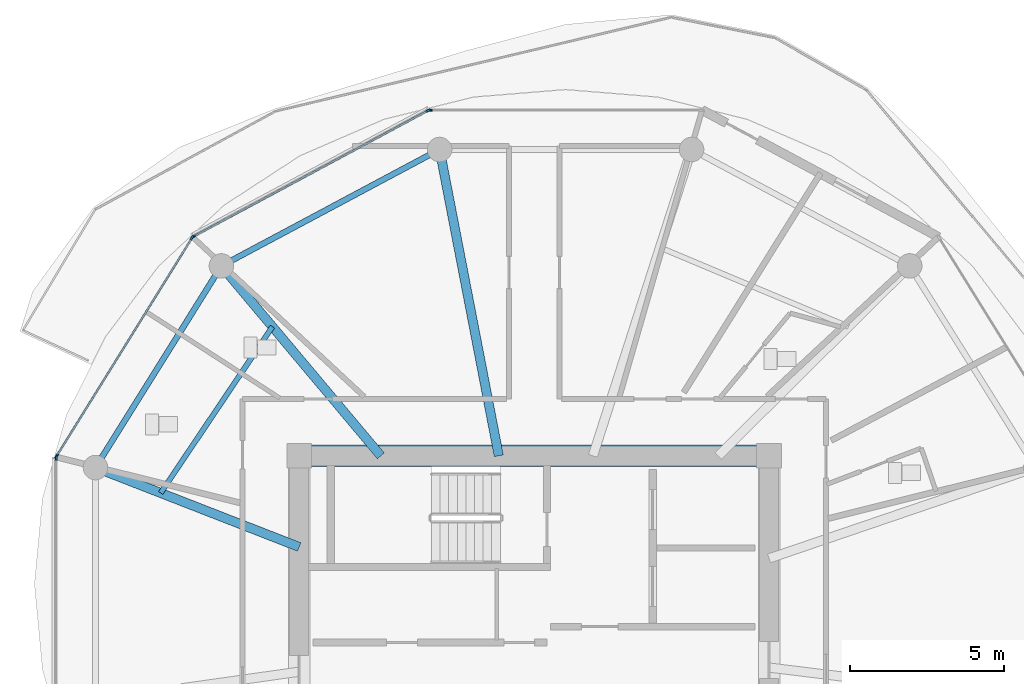
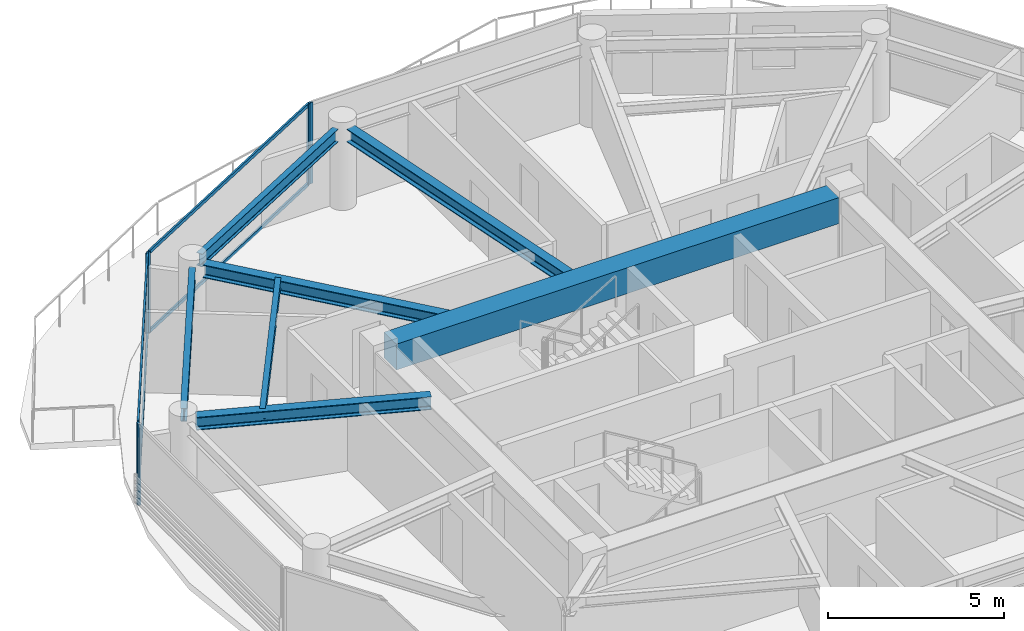
# One storey, part 4 of 21: 10 members, 7 beams, 4 elements without a shape of their own.
"""IFC4 building model written with IfcOpenShell, lengths in metres."""

from ifc_helpers import new_model, si_unit, direction, frame, origin, origin_2d, place, context, subcontext, project, spatial, rectangle, i_section, extrude, source, transform, mapped, material, layer, layer_set, material_profile, profile_set, type_object, type_shapes, element, aggregate, save


model = new_model("IFC4")

# Units and contexts
model_context = context("Model", 3, precision=1e-05, world=origin(), true_north=direction((0.0, 1.0)))
body_context = subcontext(model_context, "Body", "Model", "MODEL_VIEW")
ifc_project = project(units=[si_unit("LENGTHUNIT", "METRE"), si_unit("AREAUNIT", "SQUARE_METRE"), si_unit("VOLUMEUNIT", "CUBIC_METRE"), si_unit("PLANEANGLEUNIT", "RADIAN"), si_unit("MASSUNIT", "GRAM", prefix="KILO")], contexts=[model_context])

# Site, building, storey
site_placement = place(None, origin())
site = spatial("IfcSite", under=ifc_project, at=site_placement, CompositionType="ELEMENT")
building_placement = place(site_placement, origin())
building = spatial("IfcBuilding", under=site, at=building_placement, Name="Norrkilde Senior Care Towers", CompositionType="ELEMENT")
storey_placement = place(building_placement, frame((0.0, 0.0, 146.5)))
storey = spatial("IfcBuildingStorey", under=building, at=storey_placement, Name="L45", CompositionType="ELEMENT", Elevation=146.5)

# Beams
ifc_material_1 = material(Name="Concrete C60/75", Category="concrete")
ifc_material_profile_1 = material_profile(ifc_material_1, rectangle(XDim=0.699951171875, YDim=0.89990234375, at=origin_2d()), Name="RC BM 700x900")
ifc_profile_set_1 = profile_set([ifc_material_profile_1], Name="Concrete C60/75")
beam_type_1 = type_object("IfcBeamType", Name="Core Coupling Girder 700x900", PredefinedType="USERDEFINED", material=ifc_profile_set_1)
shared_shape_1 = source(origin(), body_context, "Body", "SweptSolid", [
    extrude(rectangle(XDim=0.699951171875, YDim=0.89990234375, at=origin_2d()), origin(), (0.0, 0.0, 1.0), 14.5400390625),
])
type_shapes(beam_type_1, [shared_shape_1])
beam_1_placement = place(storey_placement, frame((-35.27001953125, 5.949951171875, 2.360107421875), z_axis=(1.0, 0.0, 0.0), x_axis=(0.0, 1.0, 0.0)))
element("IfcBeam", 1, at=beam_1_placement, inside=storey, type_object=beam_type_1, Name="L45 Core W N Coupling Girder", ObjectType="GIRDER", PredefinedType="USERDEFINED", context=body_context, shape_type="MappedRepresentation", body=[
    mapped(shared_shape_1, transform((0.0, 0.0, 0.0), x_axis=(1.0, 0.0, 0.0), y_axis=(0.0, 1.0, 0.0), z_axis=(0.0, 0.0, 1.0), scale=1.0)),
])
ifc_material_2 = material(Name="Steel S355", Category="steel")
ifc_material_profile_2 = material_profile(ifc_material_2, i_section(OverallWidth=0.18994140625, OverallDepth=0.449951171875, WebThickness=0.009521484375, FlangeThickness=0.0146484375, FilletRadius=0.02099609375, at=origin_2d()), Name="IPE 450")
ifc_profile_set_2 = profile_set([ifc_material_profile_2], Name="Steel S355")
beam_type_2 = type_object("IfcBeamType", Name="Perimeter Ring Spandrel Z3 IPE450", PredefinedType="SPANDREL", material=ifc_profile_set_2)
shared_shape_2 = source(origin(), body_context, "Body", "SweptSolid", [
    extrude(i_section(OverallWidth=0.18994140625, OverallDepth=0.449951171875, WebThickness=0.009521484375, FlangeThickness=0.0146484375, FilletRadius=0.02099609375, at=origin_2d()), origin(), (0.0, 0.0, 1.0), 7.0234375),
])
beam_2_placement = place(storey_placement, frame((-38.373291015625, 11.8291015625, 2.5849609375), z_axis=(-0.529789577822, -0.848129119433, 0.0), x_axis=(0.848129119433, -0.529789577822, 0.0)))
element("IfcBeam", 2, at=beam_2_placement, inside=storey, type_object=beam_type_2, Name="L45 Drum W Perimeter Spandrel 05", PredefinedType="SPANDREL", context=body_context, shape_type="MappedRepresentation", body=[
    mapped(shared_shape_2, transform((0.0, 0.0, 0.0), x_axis=(1.0, 0.0, 0.0), y_axis=(0.0, 1.0, 0.0), z_axis=(0.0, 0.0, 1.0), scale=1.0)),
])
shared_shape_3 = source(origin(), body_context, "Body", "SweptSolid", [
    extrude(i_section(OverallWidth=0.18994140625, OverallDepth=0.449951171875, WebThickness=0.009521484375, FlangeThickness=0.0146484375, FilletRadius=0.02099609375, at=origin_2d()), origin(), (0.0, 0.0, 1.0), 7.333740234375),
])
type_shapes(beam_type_2, [shared_shape_2, shared_shape_3])
beam_3_placement = place(storey_placement, frame((-31.394775390625, 15.756591796875, 2.5849609375), z_axis=(-0.882247866069, -0.470785198172, 0.0), x_axis=(0.470785198172, -0.882247866069, 0.0)))
element("IfcBeam", 3, at=beam_3_placement, inside=storey, type_object=beam_type_2, Name="L45 Drum W Perimeter Spandrel 04", PredefinedType="SPANDREL", context=body_context, shape_type="MappedRepresentation", body=[
    mapped(shared_shape_3, transform((0.0, 0.0, 0.0), x_axis=(1.0, 0.0, 0.0), y_axis=(0.0, 1.0, 0.0), z_axis=(0.0, 0.0, 1.0), scale=1.0)),
])
ifc_material_profile_3 = material_profile(ifc_material_2, i_section(OverallWidth=0.300048828125, OverallDepth=0.449951171875, WebThickness=0.013916015625, FlangeThickness=0.02587890625, FilletRadius=0.027099609375, at=origin_2d()), Name="HEB 450")
ifc_profile_set_3 = profile_set([ifc_material_profile_3], Name="Steel S355")
beam_type_3 = type_object("IfcBeamType", Name="Radial Floor Beam Z3 HEB450", PredefinedType="BEAM", material=ifc_profile_set_3)
shared_shape_4 = source(origin(), body_context, "Body", "SweptSolid", [
    extrude(i_section(OverallWidth=0.300048828125, OverallDepth=0.449951171875, WebThickness=0.013916015625, FlangeThickness=0.02587890625, FilletRadius=0.027099609375, at=origin_2d()), origin(), (0.0, 0.0, 1.0), 9.80078125),
])
beam_4_placement = place(storey_placement, frame((-29.149658203125, 5.949951171875, 2.5849609375), z_axis=(-0.189716727661, 0.98183886827, 0.0), x_axis=(-0.98183886827, -0.189716727661, 0.0)))
element("IfcBeam", 4, at=beam_4_placement, inside=storey, type_object=beam_type_3, Name="L45 Drum W Radial Floor Beam 04", PredefinedType="BEAM", context=body_context, shape_type="MappedRepresentation", body=[
    mapped(shared_shape_4, transform((0.0, 0.0, 0.0), x_axis=(1.0, 0.0, 0.0), y_axis=(0.0, 1.0, 0.0), z_axis=(0.0, 0.0, 1.0), scale=1.0)),
])
shared_shape_5 = source(origin(), body_context, "Body", "SweptSolid", [
    extrude(i_section(OverallWidth=0.300048828125, OverallDepth=0.449951171875, WebThickness=0.013916015625, FlangeThickness=0.02587890625, FilletRadius=0.027099609375, at=origin_2d()), origin(), (0.0, 0.0, 1.0), 7.71337890625),
])
beam_5_placement = place(storey_placement, frame((-32.992919921875, 5.949951171875, 2.5849609375), z_axis=(-0.642808239864, 0.766027131872, 0.0), x_axis=(-0.766027131872, -0.642808239864, 0.0)))
element("IfcBeam", 5, at=beam_5_placement, inside=storey, type_object=beam_type_3, Name="L45 Drum W Radial Floor Beam 05", PredefinedType="BEAM", context=body_context, shape_type="MappedRepresentation", body=[
    mapped(shared_shape_5, transform((0.0, 0.0, 0.0), x_axis=(1.0, 0.0, 0.0), y_axis=(0.0, 1.0, 0.0), z_axis=(0.0, 0.0, 1.0), scale=1.0)),
])
shared_shape_6 = source(origin(), body_context, "Body", "SweptSolid", [
    extrude(i_section(OverallWidth=0.300048828125, OverallDepth=0.449951171875, WebThickness=0.013916015625, FlangeThickness=0.02587890625, FilletRadius=0.027099609375, at=origin_2d()), origin(), (0.0, 0.0, 1.0), 6.760986328125),
])
type_shapes(beam_type_3, [shared_shape_4, shared_shape_5, shared_shape_6])
beam_6_placement = place(storey_placement, frame((-35.64990234375, 2.981201171875, 2.5849609375), z_axis=(-0.931742171387, 0.363120539297, 0.0), x_axis=(-0.363120539297, -0.931742171387, 0.0)))
element("IfcBeam", 6, at=beam_6_placement, inside=storey, type_object=beam_type_3, Name="L45 Drum W Radial Floor Beam 06", PredefinedType="BEAM", context=body_context, shape_type="MappedRepresentation", body=[
    mapped(shared_shape_6, transform((0.0, 0.0, 0.0), x_axis=(1.0, 0.0, 0.0), y_axis=(0.0, 1.0, 0.0), z_axis=(0.0, 0.0, 1.0), scale=1.0)),
])
ifc_material_profile_4 = material_profile(ifc_material_2, i_section(OverallWidth=0.169921875, OverallDepth=0.360107421875, WebThickness=0.008056640625, FlangeThickness=0.0126953125, FilletRadius=0.01806640625, at=origin_2d()), Name="IPE 360")
ifc_profile_set_4 = profile_set([ifc_material_profile_4], Name="Steel S355")
beam_type_4 = type_object("IfcBeamType", Name="Secondary Floor Joist IPE360", PredefinedType="JOIST", material=ifc_profile_set_4)
shared_shape_7 = source(origin(), body_context, "Body", "SweptSolid", [
    extrude(i_section(OverallWidth=0.169921875, OverallDepth=0.360107421875, WebThickness=0.008056640625, FlangeThickness=0.0126953125, FilletRadius=0.01806640625, at=origin_2d()), origin(), (0.0, 0.0, 1.0), 6.525390625),
])
type_shapes(beam_type_4, [shared_shape_7])
beam_7_placement = place(storey_placement, frame((-36.52197265625, 10.155517578125, 2.6298828125), z_axis=(-0.55779590102, -0.829978152005, 0.0), x_axis=(0.829978152005, -0.55779590102, 0.0)))
element("IfcBeam", 7, at=beam_7_placement, inside=storey, type_object=beam_type_4, Name="L45 Drum W Secondary Floor Joist 2", PredefinedType="JOIST", context=body_context, shape_type="MappedRepresentation", body=[
    mapped(shared_shape_7, transform((0.0, 0.0, 0.0), x_axis=(1.0, 0.0, 0.0), y_axis=(0.0, 1.0, 0.0), z_axis=(0.0, 0.0, 1.0), scale=1.0)),
])

# Curtain wall, member
ifc_material_3 = material(Name="Triple Low-E Insulated Glazing", Category="glass")
ifc_layer = layer(ifc_material_3, 0.18994140625)
ifc_layer_set = layer_set([ifc_layer], Name="Triple Low-E Insulated Glazing")
curtain_wall_type = type_object("IfcCurtainWallType", Name="CW4 Zone 3 Senior Residence Curtain Wall", PredefinedType="NOTDEFINED", material=ifc_layer_set)
curtain_wall_1_placement = place(storey_placement, origin())
curtain_wall_1 = element("IfcCurtainWall", 8, at=curtain_wall_1_placement, inside=storey, type_object=curtain_wall_type, Name="L45 Drum W Curtain Wall 02", PredefinedType="NOTDEFINED")
ifc_material_4 = material(Name="Anodised Aluminium", Category="aluminium")
ifc_material_profile_5 = material_profile(ifc_material_4, rectangle(XDim=0.06494140625, YDim=0.14990234375, at=origin_2d()), Name="ALU MULL 65x150")
ifc_profile_set_5 = profile_set([ifc_material_profile_5], Name="Anodised Aluminium")
member_type_1 = type_object("IfcMemberType", Name="Curtain Wall Mullion Z3-Z4 65x150", PredefinedType="MULLION", material=ifc_profile_set_5)
shared_shape_8 = source(origin(), body_context, "Body", "SweptSolid", [
    extrude(rectangle(XDim=0.06494140625, YDim=0.14990234375, at=origin_2d()), origin(), (0.0, 0.0, 1.0), 2.81005859375),
])
type_shapes(member_type_1, [shared_shape_8])
member_1_placement = place(storey_placement, frame((-31.388916015625, 17.2109375, 0.0), z_axis=(0.0, 0.0, 1.0), x_axis=(0.0, 1.0, 0.0)))
member_1 = element("IfcMember", 9, at=member_1_placement, type_object=member_type_1, Name="CW-4 mullion 1", PredefinedType="MULLION", context=body_context, shape_type="MappedRepresentation", body=[
    mapped(shared_shape_8, transform((0.0, 0.0, 0.0), x_axis=(1.0, 0.0, 0.0), y_axis=(0.0, 1.0, 0.0), z_axis=(0.0, 0.0, 1.0), scale=1.0)),
])
aggregate(curtain_wall_1, [member_1])

# Curtain wall, members
curtain_wall_2_placement = place(storey_placement, origin())
curtain_wall_2 = element("IfcCurtainWall", 10, at=curtain_wall_2_placement, inside=storey, type_object=curtain_wall_type, Name="L45 Drum W Curtain Wall 03", PredefinedType="NOTDEFINED")
member_2_placement = place(storey_placement, frame((-39.094482421875, 13.09033203125, 0.0), z_axis=(0.0, 0.0, 1.0), x_axis=(-0.47311715104, 0.880999524059, 0.0)))
member_2 = element("IfcMember", 11, at=member_2_placement, type_object=member_type_1, Name="CW-4 mullion 1", PredefinedType="MULLION", context=body_context, shape_type="MappedRepresentation", body=[
    mapped(shared_shape_8, transform((0.0, 0.0, 0.0), x_axis=(1.0, 0.0, 0.0), y_axis=(0.0, 1.0, 0.0), z_axis=(0.0, 0.0, 1.0), scale=1.0)),
])
member_3_placement = place(storey_placement, frame((-31.4501953125, 17.195556640625, 0.0), z_axis=(0.0, 0.0, 1.0), x_axis=(-0.47311715104, 0.880999524059, 0.0)))
member_3 = element("IfcMember", 12, at=member_3_placement, type_object=member_type_1, Name="CW-4 mullion 2", PredefinedType="MULLION", context=body_context, shape_type="MappedRepresentation", body=[
    mapped(shared_shape_8, transform((0.0, 0.0, 0.0), x_axis=(1.0, 0.0, 0.0), y_axis=(0.0, 1.0, 0.0), z_axis=(0.0, 0.0, 1.0), scale=1.0)),
])

curtain_wall_3_placement = place(storey_placement, origin())
curtain_wall_3 = element("IfcCurtainWall", 13, at=curtain_wall_3_placement, inside=storey, type_object=curtain_wall_type, Name="L45 Drum W Curtain Wall 04", PredefinedType="NOTDEFINED")
member_4_placement = place(storey_placement, frame((-43.552490234375, 5.93896484375, 0.0), z_axis=(0.0, 0.0, 1.0), x_axis=(-0.84963405474, 0.52737270789, 0.0)))
member_4 = element("IfcMember", 14, at=member_4_placement, type_object=member_type_1, Name="CW-4 mullion 1", PredefinedType="MULLION", context=body_context, shape_type="MappedRepresentation", body=[
    mapped(shared_shape_8, transform((0.0, 0.0, 0.0), x_axis=(1.0, 0.0, 0.0), y_axis=(0.0, 1.0, 0.0), z_axis=(0.0, 0.0, 1.0), scale=1.0)),
])
member_5_placement = place(storey_placement, frame((-39.14013671875, 13.04736328125, 0.0), z_axis=(0.0, 0.0, 1.0), x_axis=(-0.84963405474, 0.52737270789, 0.0)))
member_5 = element("IfcMember", 15, at=member_5_placement, type_object=member_type_1, Name="CW-4 mullion 2", PredefinedType="MULLION", context=body_context, shape_type="MappedRepresentation", body=[
    mapped(shared_shape_8, transform((0.0, 0.0, 0.0), x_axis=(1.0, 0.0, 0.0), y_axis=(0.0, 1.0, 0.0), z_axis=(0.0, 0.0, 1.0), scale=1.0)),
])

# Curtain wall, member
curtain_wall_4_placement = place(storey_placement, origin())
curtain_wall_4 = element("IfcCurtainWall", 16, at=curtain_wall_4_placement, inside=storey, type_object=curtain_wall_type, Name="L45 Drum W Curtain Wall 05", PredefinedType="NOTDEFINED")
member_6_placement = place(storey_placement, frame((-43.569580078125, 5.878662109375, 0.0), z_axis=(0.0, 0.0, 1.0), x_axis=(-1.0, 0.0, 0.0)))
member_6 = element("IfcMember", 17, at=member_6_placement, type_object=member_type_1, Name="CW-4 mullion 2", PredefinedType="MULLION", context=body_context, shape_type="MappedRepresentation", body=[
    mapped(shared_shape_8, transform((0.0, 0.0, 0.0), x_axis=(1.0, 0.0, 0.0), y_axis=(0.0, 1.0, 0.0), z_axis=(0.0, 0.0, 1.0), scale=1.0)),
])
aggregate(curtain_wall_4, [member_6])

# Member
ifc_material_profile_6 = material_profile(ifc_material_4, rectangle(XDim=0.06005859375, YDim=0.1201171875, at=origin_2d()), Name="ALU TRAN 60x120")
ifc_profile_set_6 = profile_set([ifc_material_profile_6], Name="Anodised Aluminium")
member_type_2 = type_object("IfcMemberType", Name="Curtain Wall Transom Typical 60x120", PredefinedType="USERDEFINED", material=ifc_profile_set_6)
shared_shape_9 = source(origin(), body_context, "Body", "SweptSolid", [
    extrude(rectangle(XDim=0.06005859375, YDim=0.1201171875, at=origin_2d()), origin(), (0.0, 0.0, 1.0), 8.301513671875),
])
member_7_placement = place(storey_placement, frame((-43.535400390625, 5.966552734375, 0.030029296875), z_axis=(0.527368718394, 0.849636531029, 0.0), x_axis=(-0.849636531029, 0.527368718394, 0.0)))
member_7 = element("IfcMember", 18, at=member_7_placement, type_object=member_type_2, Name="CW-4 transom 1.1", ObjectType="TRANSOM", PredefinedType="USERDEFINED", context=body_context, shape_type="MappedRepresentation", body=[
    mapped(shared_shape_9, transform((0.0, 0.0, 0.0), x_axis=(1.0, 0.0, 0.0), y_axis=(0.0, 1.0, 0.0), z_axis=(0.0, 0.0, 1.0), scale=1.0)),
])

member_8_placement = place(storey_placement, frame((-43.535400390625, 5.966552734375, 2.780029296875), z_axis=(0.527368718394, 0.849636531029, 0.0), x_axis=(-0.849636531029, 0.527368718394, 0.0)))
member_8 = element("IfcMember", 19, at=member_8_placement, type_object=member_type_2, Name="CW-4 transom 1.2", ObjectType="TRANSOM", PredefinedType="USERDEFINED", context=body_context, shape_type="MappedRepresentation", body=[
    mapped(shared_shape_9, transform((0.0, 0.0, 0.0), x_axis=(1.0, 0.0, 0.0), y_axis=(0.0, 1.0, 0.0), z_axis=(0.0, 0.0, 1.0), scale=1.0)),
])

aggregate(curtain_wall_3, [member_4, member_5, member_7, member_8])

shared_shape_10 = source(origin(), body_context, "Body", "SweptSolid", [
    extrude(rectangle(XDim=0.06005859375, YDim=0.1201171875, at=origin_2d()), origin(), (0.0, 0.0, 1.0), 8.612060546875),
])
type_shapes(member_type_2, [shared_shape_9, shared_shape_10])
member_9_placement = place(storey_placement, frame((-39.06591796875, 13.105712890625, 0.030029296875), z_axis=(0.881000337462, 0.473115636384, 0.0), x_axis=(-0.473115636384, 0.881000337462, 0.0)))
member_9 = element("IfcMember", 20, at=member_9_placement, type_object=member_type_2, Name="CW-4 transom 1.1", ObjectType="TRANSOM", PredefinedType="USERDEFINED", context=body_context, shape_type="MappedRepresentation", body=[
    mapped(shared_shape_10, transform((0.0, 0.0, 0.0), x_axis=(1.0, 0.0, 0.0), y_axis=(0.0, 1.0, 0.0), z_axis=(0.0, 0.0, 1.0), scale=1.0)),
])

member_10_placement = place(storey_placement, frame((-39.06591796875, 13.105712890625, 2.780029296875), z_axis=(0.881000337462, 0.473115636384, 0.0), x_axis=(-0.473115636384, 0.881000337462, 0.0)))
member_10 = element("IfcMember", 21, at=member_10_placement, type_object=member_type_2, Name="CW-4 transom 1.2", ObjectType="TRANSOM", PredefinedType="USERDEFINED", context=body_context, shape_type="MappedRepresentation", body=[
    mapped(shared_shape_10, transform((0.0, 0.0, 0.0), x_axis=(1.0, 0.0, 0.0), y_axis=(0.0, 1.0, 0.0), z_axis=(0.0, 0.0, 1.0), scale=1.0)),
])

aggregate(curtain_wall_2, [member_2, member_3, member_9, member_10])

save(model, "model.ifc")
